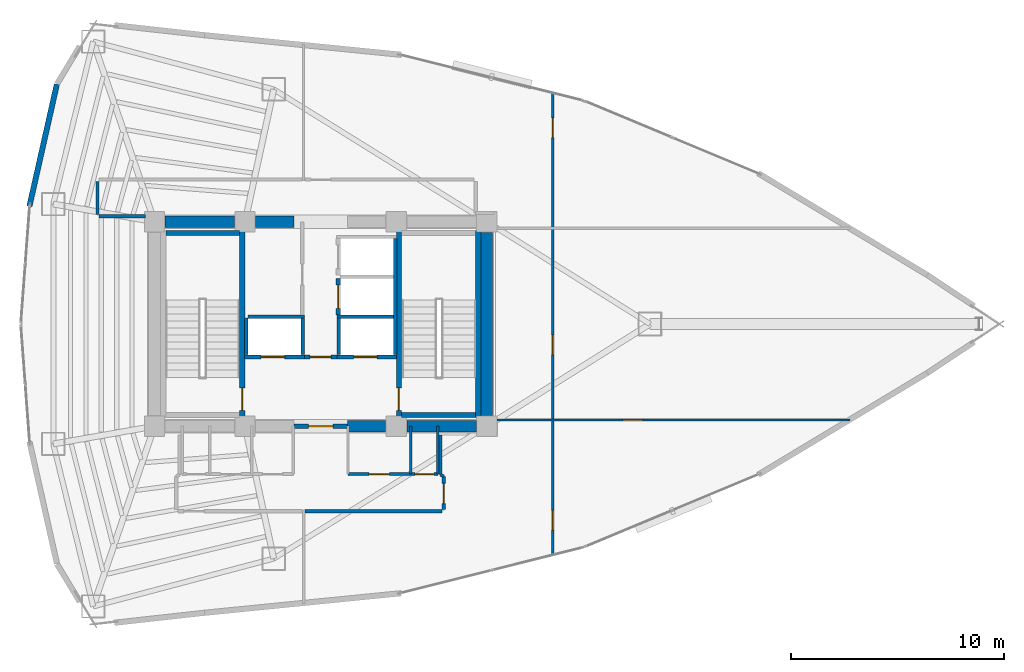
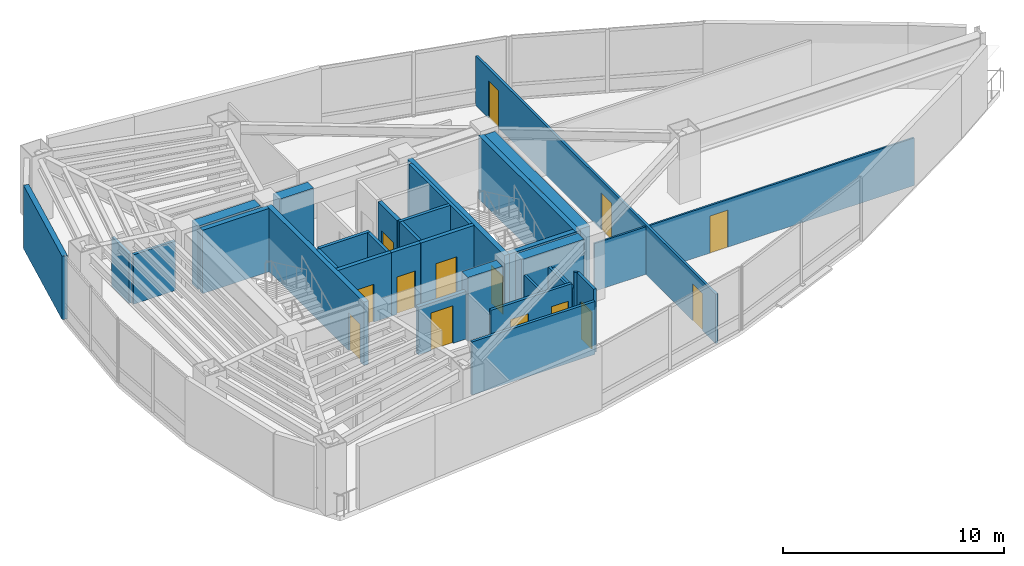
# One storey, part 14 of 17: 33 walls, 14 doors, 14 openings.
"""IFC4 building model written with IfcOpenShell, lengths in metres."""

from ifc_helpers import new_model, si_unit, direction, frame, frame_2d, origin, place, context, subcontext, project, spatial, rectangle, extrude, material, layer, layer_set, type_object, element, fill, save


model = new_model("IFC4")

# Units and contexts
model_context = context("Model", 3, precision=1e-05, world=origin(), true_north=direction((0.0, 1.0)))
body_context = subcontext(model_context, "Body", "Model", "MODEL_VIEW")
ifc_project = project(units=[si_unit("LENGTHUNIT", "METRE"), si_unit("AREAUNIT", "SQUARE_METRE"), si_unit("VOLUMEUNIT", "CUBIC_METRE"), si_unit("PLANEANGLEUNIT", "RADIAN"), si_unit("MASSUNIT", "GRAM", prefix="KILO")], contexts=[model_context])

# Site, building, storey
site_placement = place(None, origin())
site = spatial("IfcSite", under=ifc_project, at=site_placement, CompositionType="ELEMENT")
building_placement = place(site_placement, origin())
building = spatial("IfcBuilding", under=site, at=building_placement, Name="Menara Vayukalpa", CompositionType="ELEMENT")
storey_placement = place(building_placement, frame((0.0, 0.0, 154.320068359375)))
storey = spatial("IfcBuildingStorey", under=building, at=storey_placement, Name="L38", CompositionType="ELEMENT", Elevation=154.320068359375)

# Walls
ifc_material_1 = material(Name="Concrete C60/75", Category="concrete")
ifc_layer_1 = layer(ifc_material_1, 0.550048828125)
ifc_layer_set_1 = layer_set([ifc_layer_1], Name="Concrete C60/75")
wall_type_1 = type_object("IfcWallType", Name="WAL-CW550", PredefinedType="SHEAR", material=ifc_layer_set_1)
wall_1_placement = place(storey_placement, frame((26.85009765625, 17.199951171875, 0.0), z_axis=(0.0, 0.0, 1.0), x_axis=(1.0, 0.0, 0.0)))
element("IfcWall", 1, at=wall_1_placement, inside=storey, type_object=wall_type_1, Name="L38 Buttressed Core Shear Wall CWS3", PredefinedType="SHEAR", context=body_context, shape_type="SweptSolid", body=[
    extrude(rectangle(XDim=1.804931640625, YDim=0.550048828125, at=frame_2d((0.90234375, 0.0))), origin(), (0.0, 0.0, 1.0), 3.5),
])
for number, where, z_axis, x_axis, name in (
    (2, (29.64501953125, 17.199951171875, 0.0), (0.0, 0.0, 1.0), (1.0, 0.0, 0.0), "L38 Buttressed Core Shear Wall CWS4"),
    (3, (18.294921875, 26.800048828125, 0.0), (0.0, 0.0, 1.0), (1.0, 0.0, 0.0), "L38 Buttressed Core Shear Wall CWN1"),
):
    element("IfcWall", number, at=place(storey_placement, frame(where, z_axis=z_axis, x_axis=x_axis)), inside=storey, type_object=wall_type_1, Name=name, PredefinedType="SHEAR", context=body_context, shape_type="SweptSolid", body=[
        extrude(rectangle(XDim=3.260009765625, YDim=0.550048828125, at=frame_2d((1.6298828125, 0.0))), origin(), (0.0, 0.0, 1.0), 3.5),
    ])
wall_2_placement = place(storey_placement, frame((22.544921875, 26.800048828125, 0.0), z_axis=(0.0, 0.0, 1.0), x_axis=(1.0, 0.0, 0.0)))
element("IfcWall", 4, at=wall_2_placement, inside=storey, type_object=wall_type_1, Name="L38 Buttressed Core Shear Wall CWN2", PredefinedType="SHEAR", context=body_context, shape_type="SweptSolid", body=[
    extrude(rectangle(XDim=1.80517578125, YDim=0.550048828125, at=frame_2d((0.902587890625, 0.0))), origin(), (0.0, 0.0, 1.0), 3.5),
])
wall_3_placement = place(storey_placement, frame((33.39990234375, 17.695068359375, 0.0), z_axis=(0.0, 0.0, 1.0), x_axis=(0.0, 1.0, 0.0)))
element("IfcWall", 5, at=wall_3_placement, inside=storey, type_object=wall_type_1, Name="L38 Buttressed Core Shear Wall CWE1", PredefinedType="SHEAR", context=body_context, shape_type="SweptSolid", body=[
    extrude(rectangle(XDim=8.60986328125, YDim=0.550048828125, at=frame_2d((4.304931640625, 0.0))), origin(), (0.0, 0.0, 1.0), 3.5),
])
ifc_material_2 = material(Name="Insulated Precast Concrete C40/50", Category="concrete")
ifc_layer_2 = layer(ifc_material_2, 0.260009765625)
ifc_layer_set_2 = layer_set([ifc_layer_2], Name="Insulated Precast Concrete C40/50")
wall_type_2 = type_object("IfcWallType", Name="WAL-EXT260", PredefinedType="PARTITIONING", material=ifc_layer_set_2)
wall_4_placement = place(storey_placement, frame((11.925048828125, 27.5244140625, 0.0), z_axis=(0.0, 0.0, 1.0), x_axis=(0.219491422264, 0.975614429758, 0.0)))
element("IfcWall", 6, at=wall_4_placement, inside=storey, type_object=wall_type_2, Name="L38 Perimeter Terracotta Pier Wall 09", PredefinedType="PARTITIONING", context=body_context, shape_type="SweptSolid", body=[
    extrude(rectangle(XDim=5.873046875, YDim=0.260009765625, at=frame_2d((2.9365234375, 0.0))), origin(), (0.0, 0.0, 1.0), 3.5),
])
ifc_material_3 = material(Name="Lightweight Concrete Blockwork C16/20", Category="masonry")
ifc_layer_3 = layer(ifc_material_3, 0.159912109375)
ifc_layer_set_3 = layer_set([ifc_layer_3], Name="Lightweight Concrete Blockwork C16/20")
wall_type_3 = type_object("IfcWallType", Name="WAL-FR150", PredefinedType="PARTITIONING", material=ifc_layer_set_3)
for number, where, z_axis, x_axis, name in (
    (7, (22.10498046875, 20.56005859375, 0.0), (0.0, 0.0, 1.0), (0.0, 1.0, 0.0), "L38 Interior Partition IW-L38-SHW-WW"),
    (8, (24.7548828125, 20.56005859375, 0.0), (0.0, 0.0, 1.0), (0.0, 1.0, 0.0), "L38 Interior Partition IW-L38-SHW-W1E"),
):
    element("IfcWall", number, at=place(storey_placement, frame(where, z_axis=z_axis, x_axis=x_axis)), inside=storey, type_object=wall_type_3, Name=name, PredefinedType="PARTITIONING", context=body_context, shape_type="SweptSolid", body=[
        extrude(rectangle(XDim=1.7099609375, YDim=0.159912109375, at=frame_2d((0.85498046875, 0.0))), origin(), (0.0, 0.0, 1.0), 3.5),
    ])
wall_5_placement = place(storey_placement, frame((22.179931640625, 22.344970703125, 0.0), z_axis=(0.0, 0.0, 1.0), x_axis=(1.0, 0.0, 0.0)))
element("IfcWall", 9, at=wall_5_placement, inside=storey, type_object=wall_type_3, Name="L38 Interior Partition IW-L38-SHM-W12", PredefinedType="PARTITIONING", context=body_context, shape_type="SweptSolid", body=[
    extrude(rectangle(XDim=2.650146484375, YDim=0.159912109375, at=frame_2d((1.3251953125, 0.0))), origin(), (0.0, 0.0, 1.0), 3.5),
])
wall_6_placement = place(storey_placement, frame((29.094970703125, 20.56005859375, 0.0), z_axis=(0.0, 0.0, 1.0), x_axis=(0.0, 1.0, 0.0)))
element("IfcWall", 10, at=wall_6_placement, inside=storey, type_object=wall_type_3, Name="L38 Interior Partition IW-L38-SHW-EE", PredefinedType="PARTITIONING", context=body_context, shape_type="SweptSolid", body=[
    extrude(rectangle(XDim=5.449951171875, YDim=0.159912109375, at=frame_2d((2.72509765625, 0.0))), origin(), (0.0, 0.0, 1.0), 3.5),
])
wall_7_placement = place(storey_placement, frame((26.445068359375, 20.56005859375, 0.0), z_axis=(0.0, 0.0, 1.0), x_axis=(0.0, 1.0, 0.0)))
element("IfcWall", 11, at=wall_7_placement, inside=storey, type_object=wall_type_3, Name="L38 Interior Partition IW-L38-SHW-E1W", PredefinedType="PARTITIONING", context=body_context, shape_type="SweptSolid", body=[
    extrude(rectangle(XDim=1.7099609375, YDim=0.159912109375, at=frame_2d((0.85498046875, 0.0))), origin(), (0.0, 0.0, 1.0), 3.5),
])
wall_8_placement = place(storey_placement, frame((26.3701171875, 22.344970703125, 0.0), z_axis=(0.0, 0.0, 1.0), x_axis=(1.0, 0.0, 0.0)))
element("IfcWall", 12, at=wall_8_placement, inside=storey, type_object=wall_type_3, Name="L38 Interior Partition IW-L38-SHM-E13", PredefinedType="PARTITIONING", context=body_context, shape_type="SweptSolid", body=[
    extrude(rectangle(XDim=2.64990234375, YDim=0.159912109375, at=frame_2d((1.324951171875, 0.0))), origin(), (0.0, 0.0, 1.0), 3.5),
])

# Wall, opening, door
ifc_material_4 = material(Name="Lightweight Concrete Blockwork C16/20", Category="masonry")
ifc_layer_4 = layer(ifc_material_4, 0.199951171875)
ifc_layer_set_4 = layer_set([ifc_layer_4], Name="Lightweight Concrete Blockwork C16/20")
wall_type_4 = type_object("IfcWallType", Name="WAL-FR200", PredefinedType="PARTITIONING", material=ifc_layer_set_4)
wall_9_placement = place(storey_placement, frame((24.35009765625, 17.199951171875, 0.0), z_axis=(0.0, 0.0, 1.0), x_axis=(1.0, 0.0, 0.0)))
wall_9 = element("IfcWall", 13, at=wall_9_placement, inside=storey, type_object=wall_type_4, Name="L38 Interior Partition IW-L38-FFLS", PredefinedType="PARTITIONING", context=body_context, shape_type="SweptSolid", body=[
    extrude(rectangle(XDim=2.5, YDim=0.199951171875, at=frame_2d((1.25, 0.0))), origin(), (0.0, 0.0, 1.0), 2.6298828125),
])
opening_1_placement = place(wall_9_placement, frame((0.679931640625, 0.0, 0.0)))
opening_1 = element("IfcOpeningElement", 14, at=opening_1_placement, cuts=wall_9, Name="Opening ID2", PredefinedType="OPENING", context=body_context, shape_type="SweptSolid", body=[
    extrude(rectangle(XDim=1.14990234375, YDim=2.080078125, at=frame_2d((0.574951171875, 1.0400390625))), frame((0.0, 0.10986328125, 0.0), z_axis=(0.0, -1.0, 0.0), x_axis=(1.0, 0.0, 0.0)), (0.0, 0.0, 1.0), 0.219970703125),
])
ifc_material_5 = material(Name="Fire-Rated Powder-Coated Steel Door", Category="steel")
door_type_1 = type_object("IfcDoorType", Name="DR-FD60W", OperationType="NOTDEFINED", PredefinedType="DOOR", material=ifc_material_5)
door_1_placement = place(opening_1_placement, origin())
door_1 = element("IfcDoor", 15, at=door_1_placement, inside=storey, type_object=door_type_1, Name="L38 Interior Door DR-L38-FFLS", OperationType="SINGLE_SWING_RIGHT", OverallHeight=2.080078125, OverallWidth=1.14990234375, PredefinedType="DOOR", context=body_context, shape_type="SweptSolid", body=[
    extrude(rectangle(XDim=1.14990234375, YDim=2.080078125, at=frame_2d((0.574951171875, 1.0400390625))), frame((0.0, 0.02490234375, 0.0), z_axis=(0.0, -1.0, 0.0), x_axis=(1.0, 0.0, 0.0)), (0.0, 0.0, 1.0), 0.050048828125),
])
fill(opening_1, door_1)

wall_10_placement = place(storey_placement, frame((24.840087890625, 20.449951171875, 0.0), z_axis=(0.0, 0.0, 1.0), x_axis=(1.0, 0.0, 0.0)))
wall_10 = element("IfcWall", 16, at=wall_10_placement, inside=storey, type_object=wall_type_4, Name="L38 Interior Partition IW-L38-FFLN", PredefinedType="PARTITIONING", context=body_context, shape_type="SweptSolid", body=[
    extrude(rectangle(XDim=1.52001953125, YDim=0.199951171875, at=frame_2d((0.760009765625, 0.0))), origin(), (0.0, 0.0, 1.0), 3.5),
])
opening_2_placement = place(wall_10_placement, frame((0.27001953125, 0.0, 0.0)))
opening_2 = element("IfcOpeningElement", 17, at=opening_2_placement, cuts=wall_10, Name="Opening ID3", PredefinedType="OPENING", context=body_context, shape_type="SweptSolid", body=[
    extrude(rectangle(XDim=0.97998046875, YDim=2.06005859375, at=frame_2d((0.489990234375, 1.030029296875))), frame((0.0, 0.10986328125, 0.0), z_axis=(0.0, -1.0, 0.0), x_axis=(1.0, 0.0, 0.0)), (0.0, 0.0, 1.0), 0.219970703125),
])
ifc_material_6 = material(Name="Fire-Rated Powder-Coated Steel Door", Category="steel")
door_type_2 = type_object("IfcDoorType", Name="DR-FD60", OperationType="NOTDEFINED", PredefinedType="DOOR", material=ifc_material_6)
door_2_placement = place(opening_2_placement, origin())
door_2 = element("IfcDoor", 18, at=door_2_placement, inside=storey, type_object=door_type_2, Name="L38 Interior Door DR-L38-FFLN", OperationType="SINGLE_SWING_LEFT", OverallHeight=2.06005859375, OverallWidth=0.97998046875, PredefinedType="DOOR", context=body_context, shape_type="SweptSolid", body=[
    extrude(rectangle(XDim=0.97998046875, YDim=2.06005859375, at=frame_2d((0.489990234375, 1.030029296875))), frame((0.0, 0.02490234375, 0.0), z_axis=(0.0, -1.0, 0.0), x_axis=(1.0, 0.0, 0.0)), (0.0, 0.0, 1.0), 0.050048828125),
])
fill(opening_2, door_2)

wall_11_placement = place(storey_placement, frame((22.030029296875, 20.449951171875, 0.0), z_axis=(0.0, 0.0, 1.0), x_axis=(1.0, 0.0, 0.0)))
wall_11 = element("IfcWall", 19, at=wall_11_placement, inside=storey, type_object=wall_type_4, Name="L38 Interior Partition IW-L38-SH-W1", PredefinedType="PARTITIONING", context=body_context, shape_type="SweptSolid", body=[
    extrude(rectangle(XDim=2.800048828125, YDim=0.199951171875, at=frame_2d((1.39990234375, 0.0))), origin(), (0.0, 0.0, 1.0), 3.5),
])
opening_3_placement = place(wall_11_placement, frame((0.780029296875, 0.0, 0.0)))
opening_3 = element("IfcOpeningElement", 20, at=opening_3_placement, cuts=wall_11, Name="Opening LD1", PredefinedType="OPENING", context=body_context, shape_type="SweptSolid", body=[
    extrude(rectangle(XDim=1.10009765625, YDim=2.080078125, at=frame_2d((0.550048828125, 1.0400390625))), frame((0.0, 0.10986328125, 0.0), z_axis=(0.0, -1.0, 0.0), x_axis=(1.0, 0.0, 0.0)), (0.0, 0.0, 1.0), 0.219970703125),
])
ifc_material_7 = material(Name="Brushed Stainless Steel 316 Lift Door", Category="steel")
door_type_3 = type_object("IfcDoorType", Name="DR-LD110", OperationType="NOTDEFINED", PredefinedType="DOOR", material=ifc_material_7)
door_3_placement = place(opening_3_placement, origin())
door_3 = element("IfcDoor", 21, at=door_3_placement, inside=storey, type_object=door_type_3, Name="L38 Interior Door DR-L38-LD-W1", OperationType="DOUBLE_DOOR_SLIDING", OverallHeight=2.080078125, OverallWidth=1.10009765625, PredefinedType="DOOR", context=body_context, shape_type="SweptSolid", body=[
    extrude(rectangle(XDim=1.10009765625, YDim=2.080078125, at=frame_2d((0.550048828125, 1.0400390625))), frame((0.0, 0.02490234375, 0.0), z_axis=(0.0, -1.0, 0.0), x_axis=(1.0, 0.0, 0.0)), (0.0, 0.0, 1.0), 0.050048828125),
])
fill(opening_3, door_3)

wall_12_placement = place(storey_placement, frame((26.3701171875, 20.449951171875, 0.0), z_axis=(0.0, 0.0, 1.0), x_axis=(1.0, 0.0, 0.0)))
wall_12 = element("IfcWall", 22, at=wall_12_placement, inside=storey, type_object=wall_type_4, Name="L38 Interior Partition IW-L38-SH-E1", PredefinedType="PARTITIONING", context=body_context, shape_type="SweptSolid", body=[
    extrude(rectangle(XDim=2.7998046875, YDim=0.199951171875, at=frame_2d((1.39990234375, 0.0))), origin(), (0.0, 0.0, 1.0), 3.5),
])
opening_4_placement = place(wall_12_placement, frame((0.780029296875, 0.0, 0.0)))
opening_4 = element("IfcOpeningElement", 23, at=opening_4_placement, cuts=wall_12, Name="Opening LD1", PredefinedType="OPENING", context=body_context, shape_type="SweptSolid", body=[
    extrude(rectangle(XDim=1.10009765625, YDim=2.080078125, at=frame_2d((0.550048828125, 1.0400390625))), frame((0.0, 0.10986328125, 0.0), z_axis=(0.0, -1.0, 0.0), x_axis=(1.0, 0.0, 0.0)), (0.0, 0.0, 1.0), 0.219970703125),
])
door_4_placement = place(opening_4_placement, origin())
door_4 = element("IfcDoor", 24, at=door_4_placement, inside=storey, type_object=door_type_3, Name="L38 Interior Door DR-L38-LD-E1", OperationType="DOUBLE_DOOR_SLIDING", OverallHeight=2.080078125, OverallWidth=1.10009765625, PredefinedType="DOOR", context=body_context, shape_type="SweptSolid", body=[
    extrude(rectangle(XDim=1.10009765625, YDim=2.080078125, at=frame_2d((0.550048828125, 1.0400390625))), frame((0.0, 0.02490234375, 0.0), z_axis=(0.0, -1.0, 0.0), x_axis=(1.0, 0.0, 0.0)), (0.0, 0.0, 1.0), 0.050048828125),
])
fill(opening_4, door_4)

wall_13_placement = place(storey_placement, frame((26.419921875, 22.419921875, 0.0), z_axis=(0.0, 0.0, 1.0), x_axis=(0.0, 1.0, 0.0)))
wall_13 = element("IfcWall", 25, at=wall_13_placement, inside=storey, type_object=wall_type_4, Name="L38 Interior Partition IW-L38-SH-E3", PredefinedType="PARTITIONING", context=body_context, shape_type="SweptSolid", body=[
    extrude(rectangle(XDim=1.719970703125, YDim=0.199951171875, at=frame_2d((0.85986328125, 0.0))), origin(), (0.0, 0.0, 1.0), 3.5),
])
opening_5_placement = place(wall_13_placement, frame((0.31005859375, 0.0, 0.0)))
opening_5 = element("IfcOpeningElement", 26, at=opening_5_placement, cuts=wall_13, Name="Opening LD1", PredefinedType="OPENING", context=body_context, shape_type="SweptSolid", body=[
    extrude(rectangle(XDim=1.10009765625, YDim=2.080078125, at=frame_2d((0.550048828125, 1.0400390625))), frame((0.0, 0.10986328125, 0.0), z_axis=(0.0, -1.0, 0.0), x_axis=(1.0, 0.0, 0.0)), (0.0, 0.0, 1.0), 0.219970703125),
])
door_5_placement = place(opening_5_placement, origin())
door_5 = element("IfcDoor", 27, at=door_5_placement, inside=storey, type_object=door_type_3, Name="L38 Interior Door DR-L38-LD-E3", OperationType="DOUBLE_DOOR_SLIDING", OverallHeight=2.080078125, OverallWidth=1.10009765625, PredefinedType="DOOR", context=body_context, shape_type="SweptSolid", body=[
    extrude(rectangle(XDim=1.10009765625, YDim=2.080078125, at=frame_2d((0.550048828125, 1.0400390625))), frame((0.0, 0.02490234375, 0.0), z_axis=(0.0, -1.0, 0.0), x_axis=(1.0, 0.0, 0.0)), (0.0, 0.0, 1.0), 0.050048828125),
])
fill(opening_5, door_5)

ifc_material_8 = material(Name="Glazed Demountable Office Partition", Category="glass")
ifc_layer_5 = layer(ifc_material_8, 0.094970703125)
ifc_layer_set_5 = layer_set([ifc_layer_5], Name="Glazed Demountable Office Partition")
wall_type_5 = type_object("IfcWallType", Name="WAL-PT100", PredefinedType="PARTITIONING", material=ifc_layer_set_5)
wall_14_placement = place(storey_placement, frame((33.77001953125, 17.5, 0.0), z_axis=(0.0, 0.0, 1.0), x_axis=(1.0, 0.0, 0.0)))
wall_14 = element("IfcWall", 28, at=wall_14_placement, inside=storey, type_object=wall_type_5, Name="L38 Interior Partition IW-L38-RDIV04", PredefinedType="PARTITIONING", context=body_context, shape_type="SweptSolid", body=[
    extrude(rectangle(XDim=16.6806640625, YDim=0.094970703125, at=frame_2d((8.34033203125, 0.0))), origin(), (0.0, 0.0, 1.0), 2.6298828125),
])
opening_6_placement = place(wall_14_placement, frame((6.02392578125, 0.0, 0.0)))
opening_6 = element("IfcOpeningElement", 29, at=opening_6_placement, cuts=wall_14, Name="Opening ID6", PredefinedType="OPENING", context=body_context, shape_type="SweptSolid", body=[
    extrude(rectangle(XDim=0.919921875, YDim=2.050048828125, at=frame_2d((0.4599609375, 1.02490234375))), frame((0.0, 0.057373046875, 0.0), z_axis=(0.0, -1.0, 0.0), x_axis=(1.0, 0.0, 0.0)), (0.0, 0.0, 1.0), 0.114990234375),
])
ifc_material_9 = material(Name="Acoustic Hardwood Veneer Timber Door", Category="wood")
door_type_4 = type_object("IfcDoorType", Name="DR-INT92", OperationType="NOTDEFINED", PredefinedType="DOOR", material=ifc_material_9)
door_6_placement = place(opening_6_placement, origin())
door_6 = element("IfcDoor", 30, at=door_6_placement, inside=storey, type_object=door_type_4, Name="L38 Interior Door DR-L38-STE03", OperationType="SINGLE_SWING_RIGHT", OverallHeight=2.050048828125, OverallWidth=0.919921875, PredefinedType="DOOR", context=body_context, shape_type="SweptSolid", body=[
    extrude(rectangle(XDim=0.919921875, YDim=2.050048828125, at=frame_2d((0.4599609375, 1.02490234375))), frame((0.0, 0.02490234375, 0.0), z_axis=(0.0, -1.0, 0.0), x_axis=(1.0, 0.0, 0.0)), (0.0, 0.0, 1.0), 0.050048828125),
])
fill(opening_6, door_6)

# Walls
ifc_material_10 = material(Name="Gypsum Drywall Steel Stud Assembly", Category="steel")
ifc_layer_6 = layer(ifc_material_10, 0.125)
ifc_layer_set_6 = layer_set([ifc_layer_6], Name="Gypsum Drywall Steel Stud Assembly")
wall_type_6 = type_object("IfcWallType", Name="WAL-PT125", PredefinedType="PARTITIONING", material=ifc_layer_set_6)
for number, where, z_axis, x_axis, name in (
    (31, (29.830078125, 14.949951171875, 0.0), (0.0, 0.0, 1.0), (0.0, 1.0, 0.0), "L38 Interior Partition IW-L38-SVCD-06"),
    (32, (31.10009765625, 14.949951171875, 0.0), (0.0, 0.0, 1.0), (0.0, 1.0, 0.0), "L38 Interior Partition IW-L38-SVCD-07"),
):
    element("IfcWall", number, at=place(storey_placement, frame(where, z_axis=z_axis, x_axis=x_axis)), inside=storey, type_object=wall_type_6, Name=name, PredefinedType="PARTITIONING", context=body_context, shape_type="SweptSolid", body=[
        extrude(rectangle(XDim=2.25, YDim=0.125, at=frame_2d((1.125, 0.0))), origin(), (0.0, 0.0, 1.0), 2.6298828125),
    ])

# Wall, openings, doors
wall_15_placement = place(storey_placement, frame((36.5, 11.145751953125, 0.0), z_axis=(0.0, 0.0, 1.0), x_axis=(0.0, 1.0, 0.0)))
wall_15 = element("IfcWall", 33, at=wall_15_placement, inside=storey, type_object=wall_type_6, Name="L38 Interior Partition IW-L38-RDIV03", PredefinedType="PARTITIONING", context=body_context, shape_type="SweptSolid", body=[
    extrude(rectangle(XDim=21.70849609375, YDim=0.125, at=frame_2d((10.854248046875, 0.0))), origin(), (0.0, 0.0, 1.0), 2.72998046875),
])
opening_7_placement = place(wall_15_placement, frame((1.179931640625, 0.0, 0.0)))
opening_7 = element("IfcOpeningElement", 34, at=opening_7_placement, cuts=wall_15, Name="Opening ID6", PredefinedType="OPENING", context=body_context, shape_type="SweptSolid", body=[
    extrude(rectangle(XDim=0.919921875, YDim=2.050048828125, at=frame_2d((0.4599609375, 1.02490234375))), frame((0.0, 0.072509765625, 0.0), z_axis=(0.0, -1.0, 0.0), x_axis=(1.0, 0.0, 0.0)), (0.0, 0.0, 1.0), 0.14501953125),
])
opening_8_placement = place(wall_15_placement, frame((9.419677734375, 0.0, 0.0)))
opening_8 = element("IfcOpeningElement", 35, at=opening_8_placement, cuts=wall_15, Name="Opening ID6", PredefinedType="OPENING", context=body_context, shape_type="SweptSolid", body=[
    extrude(rectangle(XDim=0.919921875, YDim=2.050048828125, at=frame_2d((0.4599609375, 1.02490234375))), frame((0.0, 0.072509765625, 0.0), z_axis=(0.0, -1.0, 0.0), x_axis=(1.0, 0.0, 0.0)), (0.0, 0.0, 1.0), 0.14501953125),
])
opening_9_placement = place(wall_15_placement, frame((19.608642578125, 0.0, 0.0)))
opening_9 = element("IfcOpeningElement", 36, at=opening_9_placement, cuts=wall_15, Name="Opening ID6", PredefinedType="OPENING", context=body_context, shape_type="SweptSolid", body=[
    extrude(rectangle(XDim=0.919921875, YDim=2.050048828125, at=frame_2d((0.4599609375, 1.02490234375))), frame((0.0, 0.072509765625, 0.0), z_axis=(0.0, -1.0, 0.0), x_axis=(1.0, 0.0, 0.0)), (0.0, 0.0, 1.0), 0.14501953125),
])
door_7_placement = place(opening_7_placement, origin())
door_7 = element("IfcDoor", 37, at=door_7_placement, inside=storey, type_object=door_type_4, Name="L38 Interior Door DR-L38-STE02", OperationType="SINGLE_SWING_LEFT", OverallHeight=2.050048828125, OverallWidth=0.919921875, PredefinedType="DOOR", context=body_context, shape_type="SweptSolid", body=[
    extrude(rectangle(XDim=0.919921875, YDim=2.050048828125, at=frame_2d((0.4599609375, 1.02490234375))), frame((0.0, 0.02490234375, 0.0), z_axis=(0.0, -1.0, 0.0), x_axis=(1.0, 0.0, 0.0)), (0.0, 0.0, 1.0), 0.050048828125),
])
fill(opening_7, door_7)
door_8_placement = place(opening_8_placement, origin())
door_8 = element("IfcDoor", 38, at=door_8_placement, inside=storey, type_object=door_type_4, Name="L38 Interior Door DR-L38-STE04", OperationType="SINGLE_SWING_RIGHT", OverallHeight=2.050048828125, OverallWidth=0.919921875, PredefinedType="DOOR", context=body_context, shape_type="SweptSolid", body=[
    extrude(rectangle(XDim=0.919921875, YDim=2.050048828125, at=frame_2d((0.4599609375, 1.02490234375))), frame((0.0, 0.02490234375, 0.0), z_axis=(0.0, -1.0, 0.0), x_axis=(1.0, 0.0, 0.0)), (0.0, 0.0, 1.0), 0.050048828125),
])
fill(opening_8, door_8)
door_9_placement = place(opening_9_placement, origin())
door_9 = element("IfcDoor", 39, at=door_9_placement, inside=storey, type_object=door_type_4, Name="L38 Interior Door DR-L38-STE05", OperationType="SINGLE_SWING_LEFT", OverallHeight=2.050048828125, OverallWidth=0.919921875, PredefinedType="DOOR", context=body_context, shape_type="SweptSolid", body=[
    extrude(rectangle(XDim=0.919921875, YDim=2.050048828125, at=frame_2d((0.4599609375, 1.02490234375))), frame((0.0, 0.02490234375, 0.0), z_axis=(0.0, -1.0, 0.0), x_axis=(1.0, 0.0, 0.0)), (0.0, 0.0, 1.0), 0.050048828125),
])
fill(opening_9, door_9)

ifc_material_11 = material(Name="Gypsum Drywall Acoustic Stud Assembly", Category="masonry")
ifc_layer_7 = layer(ifc_material_11, 0.14501953125)
ifc_layer_set_7 = layer_set([ifc_layer_7], Name="Gypsum Drywall Acoustic Stud Assembly")
wall_type_7 = type_object("IfcWallType", Name="WAL-PT150", PredefinedType="PARTITIONING", material=ifc_layer_set_7)
wall_16_placement = place(storey_placement, frame((26.8798828125, 14.949951171875, 0.0), z_axis=(0.0, 0.0, 1.0), x_axis=(1.0, 0.0, 0.0)))
wall_16 = element("IfcWall", 40, at=wall_16_placement, inside=storey, type_object=wall_type_7, Name="L38 Interior Partition IW-L38-SVCS-E", PredefinedType="PARTITIONING", context=body_context, shape_type="SweptSolid", body=[
    extrude(rectangle(XDim=4.22021484375, YDim=0.14501953125, at=frame_2d((2.110107421875, 0.0))), origin(), (0.0, 0.0, 1.0), 2.929931640625),
])
opening_10_placement = place(wall_16_placement, frame((0.9951171875, 0.0, 0.0)))
opening_10 = element("IfcOpeningElement", 41, at=opening_10_placement, cuts=wall_16, Name="Opening ID5", PredefinedType="OPENING", context=body_context, shape_type="SweptSolid", body=[
    extrude(rectangle(XDim=0.949951171875, YDim=2.06005859375, at=frame_2d((0.47509765625, 1.030029296875))), frame((0.0, 0.08251953125, 0.0), z_axis=(0.0, -1.0, 0.0), x_axis=(1.0, 0.0, 0.0)), (0.0, 0.0, 1.0), 0.1650390625),
])
opening_11_placement = place(wall_16_placement, frame((3.139892578125, 0.0, 0.0)))
opening_11 = element("IfcOpeningElement", 42, at=opening_11_placement, cuts=wall_16, Name="Opening ID7", PredefinedType="OPENING", context=body_context, shape_type="SweptSolid", body=[
    extrude(rectangle(XDim=0.89990234375, YDim=2.02001953125, at=frame_2d((0.449951171875, 1.010009765625))), frame((0.0, 0.08251953125, 0.0), z_axis=(0.0, -1.0, 0.0), x_axis=(1.0, 0.0, 0.0)), (0.0, 0.0, 1.0), 0.1650390625),
])
ifc_material_12 = material(Name="Acoustic Hardwood Veneer Timber Door", Category="wood")
door_type_5 = type_object("IfcDoorType", Name="DR-INT95", OperationType="NOTDEFINED", PredefinedType="DOOR", material=ifc_material_12)
door_10_placement = place(opening_10_placement, origin())
door_10 = element("IfcDoor", 43, at=door_10_placement, inside=storey, type_object=door_type_5, Name="L38 Interior Door DR-L38-KSV1", OperationType="SINGLE_SWING_RIGHT", OverallHeight=2.06005859375, OverallWidth=0.949951171875, PredefinedType="DOOR", context=body_context, shape_type="SweptSolid", body=[
    extrude(rectangle(XDim=0.949951171875, YDim=2.06005859375, at=frame_2d((0.47509765625, 1.030029296875))), frame((0.0, 0.02490234375, 0.0), z_axis=(0.0, -1.0, 0.0), x_axis=(1.0, 0.0, 0.0)), (0.0, 0.0, 1.0), 0.050048828125),
])
fill(opening_10, door_10)
ifc_material_13 = material(Name="Powder-Coated Steel Riser Access Door", Category="steel")
door_type_6 = type_object("IfcDoorType", Name="DR-RISER", OperationType="NOTDEFINED", PredefinedType="DOOR", material=ifc_material_13)
door_11_placement = place(opening_11_placement, origin())
door_11 = element("IfcDoor", 44, at=door_11_placement, inside=storey, type_object=door_type_6, Name="L38 Interior Door DR-L38-SMD", OperationType="SINGLE_SWING_LEFT", OverallHeight=2.02001953125, OverallWidth=0.89990234375, PredefinedType="DOOR", context=body_context, shape_type="SweptSolid", body=[
    extrude(rectangle(XDim=0.89990234375, YDim=2.02001953125, at=frame_2d((0.449951171875, 1.010009765625))), frame((0.0, 0.02490234375, 0.0), z_axis=(0.0, -1.0, 0.0), x_axis=(1.0, 0.0, 0.0)), (0.0, 0.0, 1.0), 0.050048828125),
])
fill(opening_11, door_11)

# Wall
wall_17_placement = place(storey_placement, frame((24.8701171875, 13.2099609375, 0.0), z_axis=(0.0, 0.0, 1.0), x_axis=(1.0, 0.0, 0.0)))
element("IfcWall", 45, at=wall_17_placement, inside=storey, type_object=wall_type_7, Name="L38 Interior Partition IW-L38-CRM01-1", PredefinedType="PARTITIONING", context=body_context, shape_type="SweptSolid", body=[
    extrude(rectangle(XDim=6.429931640625, YDim=0.14501953125, at=frame_2d((3.21484375, 0.0))), origin(), (0.0, 0.0, 1.0), 2.929931640625),
])

# Wall, opening, door
wall_18_placement = place(storey_placement, frame((31.3798828125, 13.2900390625, 0.0), z_axis=(0.0, 0.0, 1.0), x_axis=(0.0, 1.0, 0.0)))
wall_18 = element("IfcWall", 46, at=wall_18_placement, inside=storey, type_object=wall_type_7, Name="L38 Interior Partition IW-L38-CRM01-2", PredefinedType="PARTITIONING", context=body_context, shape_type="SweptSolid", body=[
    extrude(rectangle(XDim=1.56005859375, YDim=0.14501953125, at=frame_2d((0.780029296875, 0.0))), origin(), (0.0, 0.0, 1.0), 3.5),
])
opening_12_placement = place(wall_18_placement, frame((0.280029296875, 0.0, 0.0)))
opening_12 = element("IfcOpeningElement", 47, at=opening_12_placement, cuts=wall_18, Name="Opening ID5", PredefinedType="OPENING", context=body_context, shape_type="SweptSolid", body=[
    extrude(rectangle(XDim=0.949951171875, YDim=2.06005859375, at=frame_2d((0.47509765625, 1.030029296875))), frame((0.0, 0.08251953125, 0.0), z_axis=(0.0, -1.0, 0.0), x_axis=(1.0, 0.0, 0.0)), (0.0, 0.0, 1.0), 0.1650390625),
])
door_12_placement = place(opening_12_placement, origin())
door_12 = element("IfcDoor", 48, at=door_12_placement, inside=storey, type_object=door_type_5, Name="L38 Interior Door DR-L38-RM01", OperationType="SINGLE_SWING_RIGHT", OverallHeight=2.06005859375, OverallWidth=0.949951171875, PredefinedType="DOOR", context=body_context, shape_type="SweptSolid", body=[
    extrude(rectangle(XDim=0.949951171875, YDim=2.06005859375, at=frame_2d((0.47509765625, 1.030029296875))), frame((0.0, 0.02490234375, 0.0), z_axis=(0.0, -1.0, 0.0), x_axis=(1.0, 0.0, 0.0)), (0.0, 0.0, 1.0), 0.050048828125),
])
fill(opening_12, door_12)

# Walls
wall_19_placement = place(storey_placement, frame((31.219970703125, 14.929931640625, 0.0), z_axis=(0.0, 0.0, 1.0), x_axis=(0.0, 1.0, 0.0)))
element("IfcWall", 49, at=wall_19_placement, inside=storey, type_object=wall_type_7, Name="L38 Interior Partition IW-L38-CRM01-3", PredefinedType="PARTITIONING", context=body_context, shape_type="SweptSolid", body=[
    extrude(rectangle(XDim=1.85009765625, YDim=0.14501953125, at=frame_2d((0.925048828125, 0.0))), origin(), (0.0, 0.0, 1.0), 2.6298828125),
])
wall_20_placement = place(storey_placement, frame((15.1201171875, 28.699951171875, 0.0), z_axis=(0.0, 0.0, 1.0), x_axis=(0.0, -1.0, 0.0)))
element("IfcWall", 50, at=wall_20_placement, inside=storey, type_object=wall_type_7, Name="L38 Interior Partition IW-L38-CRM07-2", PredefinedType="PARTITIONING", context=body_context, shape_type="SweptSolid", body=[
    extrude(rectangle(XDim=1.56005859375, YDim=0.14501953125, at=frame_2d((0.780029296875, 0.0))), origin(), (0.0, 0.0, 1.0), 2.72998046875),
])
wall_21_placement = place(storey_placement, frame((15.199951171875, 27.06005859375, 0.0), z_axis=(0.0, 0.0, 1.0), x_axis=(1.0, 0.0, 0.0)))
element("IfcWall", 51, at=wall_21_placement, inside=storey, type_object=wall_type_7, Name="L38 Interior Partition IW-L38-CRM07-3", PredefinedType="PARTITIONING", context=body_context, shape_type="SweptSolid", body=[
    extrude(rectangle(XDim=2.179931640625, YDim=0.14501953125, at=frame_2d((1.08984375, 0.0))), origin(), (0.0, 0.0, 1.0), 2.72998046875),
])
wall_22_placement = place(storey_placement, frame((31.3798828125, 14.85009765625, 0.0), z_axis=(0.0, 0.0, 1.0), x_axis=(-0.89470021502, 0.446667130247, 0.0)))
element("IfcWall", 52, at=wall_22_placement, inside=storey, type_object=wall_type_7, Name="L38 Interior Partition IW-L38-CRM01-2-R1", PredefinedType="PARTITIONING", context=body_context, shape_type="SweptSolid", body=[
    extrude(rectangle(XDim=0.1787109375, YDim=0.14501953125, at=frame_2d((0.08935546875, 0.0))), origin(), (0.0, 0.0, 1.0), 3.5),
])

# Wall, opening, door
ifc_material_14 = material(Name="Concrete C50/60", Category="concrete")
ifc_layer_8 = layer(ifc_material_14, 0.25)
ifc_layer_set_8 = layer_set([ifc_layer_8], Name="Concrete C50/60")
wall_type_8 = type_object("IfcWallType", Name="WAL-SW250", PredefinedType="SHEAR", material=ifc_layer_set_8)
wall_23_placement = place(storey_placement, frame((21.925048828125, 17.60009765625, 0.0), z_axis=(0.0, 0.0, 1.0), x_axis=(0.0, 1.0, 0.0)))
wall_23 = element("IfcWall", 53, at=wall_23_placement, inside=storey, type_object=wall_type_8, Name="L38 ST1 Structural Stair Shaft Wall E", PredefinedType="SHEAR", context=body_context, shape_type="SweptSolid", body=[
    extrude(rectangle(XDim=8.7998046875, YDim=0.25, at=frame_2d((4.39990234375, 0.0))), origin(), (0.0, 0.0, 1.0), 3.5),
])
opening_13_placement = place(wall_23_placement, frame((0.35009765625, 0.0, 0.0)))
opening_13 = element("IfcOpeningElement", 54, at=opening_13_placement, cuts=wall_23, Name="Opening ID1", PredefinedType="OPENING", context=body_context, shape_type="SweptSolid", body=[
    extrude(rectangle(XDim=1.050048828125, YDim=2.080078125, at=frame_2d((0.52490234375, 1.0400390625))), frame((0.0, 0.135009765625, 0.0), z_axis=(0.0, -1.0, 0.0), x_axis=(1.0, 0.0, 0.0)), (0.0, 0.0, 1.0), 0.27001953125),
])
ifc_material_15 = material(Name="Fire-Rated Powder-Coated Steel Door", Category="steel")
door_type_7 = type_object("IfcDoorType", Name="DR-FD120", OperationType="NOTDEFINED", PredefinedType="DOOR", material=ifc_material_15)
door_13_placement = place(opening_13_placement, origin())
door_13 = element("IfcDoor", 55, at=door_13_placement, inside=storey, type_object=door_type_7, Name="L38 Stair Exit Door DR-L38-ST1", OperationType="SINGLE_SWING_LEFT", OverallHeight=2.080078125, OverallWidth=1.050048828125, PredefinedType="DOOR", context=body_context, shape_type="SweptSolid", body=[
    extrude(rectangle(XDim=1.050048828125, YDim=2.080078125, at=frame_2d((0.52490234375, 1.0400390625))), frame((0.0, 0.02490234375, 0.0), z_axis=(0.0, -1.0, 0.0), x_axis=(1.0, 0.0, 0.0)), (0.0, 0.0, 1.0), 0.050048828125),
])
fill(opening_13, door_13)

# Wall
wall_24_placement = place(storey_placement, frame((18.3291015625, 26.27490234375, 0.0), z_axis=(0.0, 0.0, 1.0), x_axis=(1.0, 0.0, 0.0)))
element("IfcWall", 56, at=wall_24_placement, inside=storey, type_object=wall_type_8, Name="L38 ST1 Structural Stair Shaft Wall N", PredefinedType="SHEAR", context=body_context, shape_type="SweptSolid", body=[
    extrude(rectangle(XDim=3.470947265625, YDim=0.25, at=frame_2d((1.7353515625, 0.0))), origin(), (0.0, 0.0, 1.0), 3.5),
])

# Wall, opening, door
wall_25_placement = place(storey_placement, frame((29.27490234375, 17.60009765625, 0.0), z_axis=(0.0, 0.0, 1.0), x_axis=(0.0, 1.0, 0.0)))
wall_25 = element("IfcWall", 57, at=wall_25_placement, inside=storey, type_object=wall_type_8, Name="L38 ST2 Structural Stair Shaft Wall W", PredefinedType="SHEAR", context=body_context, shape_type="SweptSolid", body=[
    extrude(rectangle(XDim=8.7998046875, YDim=0.25, at=frame_2d((4.39990234375, 0.0))), origin(), (0.0, 0.0, 1.0), 3.5),
])
opening_14_placement = place(wall_25_placement, frame((0.35009765625, 0.0, 0.0)))
opening_14 = element("IfcOpeningElement", 58, at=opening_14_placement, cuts=wall_25, Name="Opening ID1", PredefinedType="OPENING", context=body_context, shape_type="SweptSolid", body=[
    extrude(rectangle(XDim=1.050048828125, YDim=2.080078125, at=frame_2d((0.52490234375, 1.0400390625))), frame((0.0, 0.135009765625, 0.0), z_axis=(0.0, -1.0, 0.0), x_axis=(1.0, 0.0, 0.0)), (0.0, 0.0, 1.0), 0.27001953125),
])
door_14_placement = place(opening_14_placement, origin())
door_14 = element("IfcDoor", 59, at=door_14_placement, inside=storey, type_object=door_type_7, Name="L38 Stair Exit Door DR-L38-ST2", OperationType="SINGLE_SWING_RIGHT", OverallHeight=2.080078125, OverallWidth=1.050048828125, PredefinedType="DOOR", context=body_context, shape_type="SweptSolid", body=[
    extrude(rectangle(XDim=1.050048828125, YDim=2.080078125, at=frame_2d((0.52490234375, 1.0400390625))), frame((0.0, 0.02490234375, 0.0), z_axis=(0.0, -1.0, 0.0), x_axis=(1.0, 0.0, 0.0)), (0.0, 0.0, 1.0), 0.050048828125),
])
fill(opening_14, door_14)

# Walls
wall_26_placement = place(storey_placement, frame((32.99609375, 17.60009765625, 0.0), z_axis=(0.0, 0.0, 1.0), x_axis=(0.0, 1.0, 0.0)))
element("IfcWall", 60, at=wall_26_placement, inside=storey, type_object=wall_type_8, Name="L38 ST2 Structural Stair Shaft Wall E", PredefinedType="SHEAR", context=body_context, shape_type="SweptSolid", body=[
    extrude(rectangle(XDim=8.7998046875, YDim=0.25, at=frame_2d((4.39990234375, 0.0))), origin(), (0.0, 0.0, 1.0), 3.5),
])
wall_27_placement = place(storey_placement, frame((29.39990234375, 17.72509765625, 0.0), z_axis=(0.0, 0.0, 1.0), x_axis=(1.0, 0.0, 0.0)))
element("IfcWall", 61, at=wall_27_placement, inside=storey, type_object=wall_type_8, Name="L38 ST2 Structural Stair Shaft Wall S", PredefinedType="SHEAR", context=body_context, shape_type="SweptSolid", body=[
    extrude(rectangle(XDim=3.47119140625, YDim=0.25, at=frame_2d((1.735595703125, 0.0))), origin(), (0.0, 0.0, 1.0), 3.5),
])

save(model, "model.ifc")
